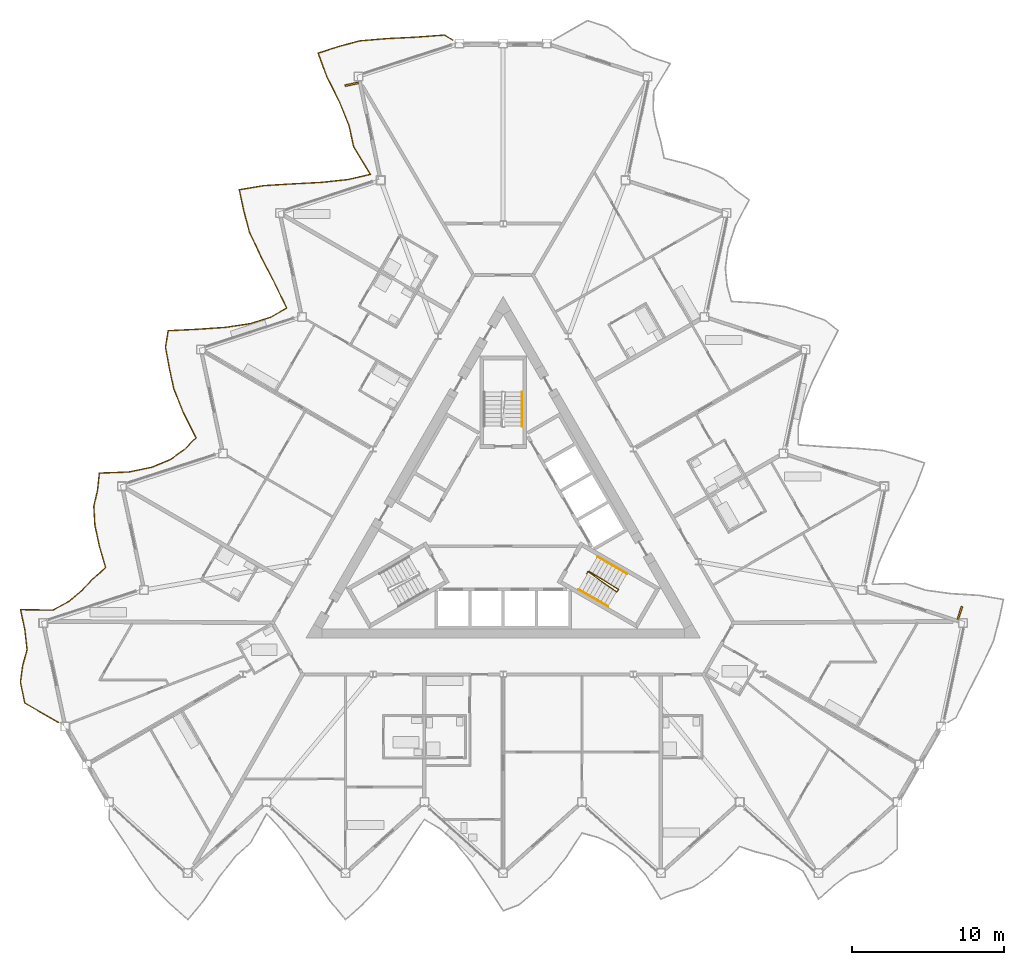
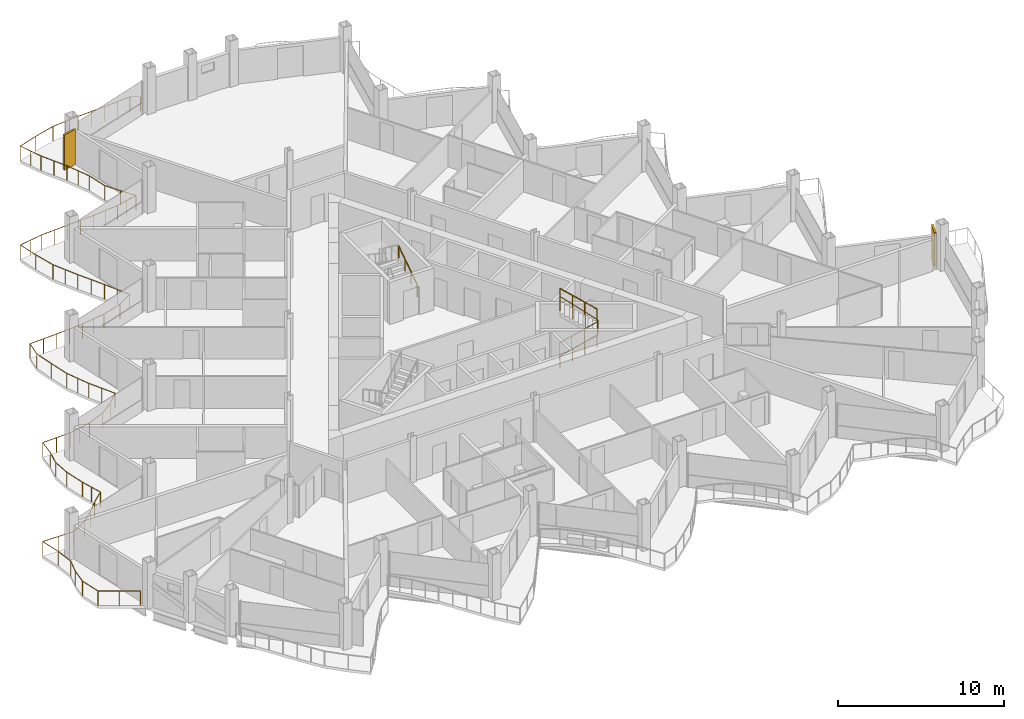
# One storey, part 23 of 26: 5 railings, 2 shading devices.
"""IFC4 building model written with IfcOpenShell, lengths in metres."""

from ifc_helpers import new_model, si_unit, direction, frame, origin, origin_2d, place, context, subcontext, project, spatial, rectangle, circle, extrude, material, layer, layer_set, type_object, element, save


model = new_model("IFC4")

# Units and contexts
model_context = context("Model", 3, precision=1e-05, world=origin(), true_north=direction((0.0, 1.0)))
body_context = subcontext(model_context, "Body", "Model", "MODEL_VIEW")
ifc_project = project(units=[si_unit("LENGTHUNIT", "METRE"), si_unit("AREAUNIT", "SQUARE_METRE"), si_unit("VOLUMEUNIT", "CUBIC_METRE"), si_unit("PLANEANGLEUNIT", "RADIAN"), si_unit("MASSUNIT", "GRAM", prefix="KILO")], contexts=[model_context])

# Site, building, storey
site_placement = place(None, origin())
site = spatial("IfcSite", under=ifc_project, at=site_placement, CompositionType="ELEMENT")
building_placement = place(site_placement, origin())
building = spatial("IfcBuilding", under=site, at=building_placement, Name="Cormorant Prow Tower", CompositionType="ELEMENT")
storey_placement = place(building_placement, frame((0.0, 0.0, 339.199951171875)))
storey = spatial("IfcBuildingStorey", under=building, at=storey_placement, Name="L76", CompositionType="ELEMENT", Elevation=339.199951171875)

# Railings
ifc_material_1 = material(Name="Aluminium 6063-T6", Category="aluminium")
railing_type_1 = type_object("IfcRailingType", Name="Balcony guard 1100", PredefinedType="GUARDRAIL", material=ifc_material_1)
railing_1_placement = place(storey_placement, frame((-3.326904296875, 31.9287109375, 0.0)))
element("IfcRailing", 1, at=railing_1_placement, inside=storey, type_object=railing_type_1, Name="Balcony guard WNW", PredefinedType="GUARDRAIL", context=body_context, shape_type="SweptSolid", body=[
    extrude(circle(Radius=0.02392578125, at=origin_2d()), frame((0.0, 0.0, 1.076171875), z_axis=(-0.865942655036, 0.500143297656, 0.0), x_axis=(-0.500143297656, -0.865942655036, 0.0)), (0.0, 0.0, 1.0), 0.635986328125),
    extrude(circle(Radius=0.02392578125, at=origin_2d()), frame((-0.55078125, 0.318115234375, 1.076171875), z_axis=(-0.997268835853, -0.07385708522, 0.0), x_axis=(0.07385708522, -0.997268835853, 0.0)), (0.0, 0.0, 1.0), 1.847900390625),
    extrude(circle(Radius=0.02392578125, at=origin_2d()), frame((-2.3935546875, 0.181640625, 1.076171875), z_axis=(-0.998812502105, -0.048719458521, 0.0), x_axis=(0.048719458521, -0.998812502105, 0.0)), (0.0, 0.0, 1.0), 1.919189453125),
    extrude(circle(Radius=0.02392578125, at=origin_2d()), frame((-4.310546875, 0.088134765625, 1.076171875), z_axis=(-0.996610037067, -0.082270492993, 0.0), x_axis=(0.082270492993, -0.996610037067, 0.0)), (0.0, 0.0, 1.0), 1.824951171875),
    extrude(circle(Radius=0.02392578125, at=origin_2d()), frame((-6.12939453125, -0.06201171875, 1.076171875), z_axis=(-0.965538644572, -0.260259727653, 0.0), x_axis=(0.260259727653, -0.965538644572, 0.0)), (0.0, 0.0, 1.0), 1.468017578125),
    extrude(circle(Radius=0.02392578125, at=origin_2d()), frame((-7.546875, -0.444091796875, 1.076171875), z_axis=(-0.951081516476, -0.308940041138, 0.0), x_axis=(0.308940041138, -0.951081516476, 0.0)), (0.0, 0.0, 1.0), 1.398681640625),
    extrude(circle(Radius=0.02392578125, at=origin_2d()), frame((-8.877197265625, -0.876220703125, 1.076171875), z_axis=(0.345517305781, -0.938412378119, 0.0), x_axis=(0.938412378119, 0.345517305781, 0.0)), (0.0, 0.0, 1.0), 1.62451171875),
    extrude(circle(Radius=0.02392578125, at=origin_2d()), frame((-8.31591796875, -2.400634765625, 1.076171875), z_axis=(0.44638412653, -0.89484144494, 0.0), x_axis=(0.89484144494, 0.44638412653, 0.0)), (0.0, 0.0, 1.0), 1.88427734375),
    extrude(circle(Radius=0.02392578125, at=origin_2d()), frame((-7.474853515625, -4.086669921875, 1.076171875), z_axis=(0.377196199988, -0.92613337415, 0.0), x_axis=(0.92613337415, 0.377196199988, 0.0)), (0.0, 0.0, 1.0), 1.694580078125),
    extrude(circle(Radius=0.02392578125, at=origin_2d()), frame((-6.835693359375, -5.656005859375, 1.076171875), z_axis=(0.207883806398, -0.978153527335, 0.0), x_axis=(0.978153527335, 0.207883806398, 0.0)), (0.0, 0.0, 1.0), 1.398681640625),
    extrude(circle(Radius=0.02392578125, at=origin_2d()), frame((-6.544921875, -7.024169921875, 1.076171875), z_axis=(0.517077573269, -0.855938539395, 0.0), x_axis=(0.855938539395, 0.517077573269, 0.0)), (0.0, 0.0, 1.0), 2.153564453125),
    extrude(circle(Radius=0.02392578125, at=origin_2d()), frame((-5.431396484375, -8.867431640625, 1.076171875), z_axis=(-0.974579651079, -0.224041299099, 0.0), x_axis=(0.224041299099, -0.974579651079, 0.0)), (0.0, 0.0, 1.0), 1.525634765625),
    extrude(circle(Radius=0.02392578125, at=origin_2d()), frame((-6.918212890625, -9.209228515625, 1.076171875), z_axis=(-0.994541693172, -0.104339927843, 0.0), x_axis=(0.104339927843, -0.994541693172, 0.0)), (0.0, 0.0, 1.0), 1.76904296875),
    extrude(circle(Radius=0.02392578125, at=origin_2d()), frame((-8.677490234375, -9.393798828125, 1.076171875), z_axis=(-0.998623125906, -0.052458101425, 0.0), x_axis=(0.052458101425, -0.998623125906, 0.0)), (0.0, 0.0, 1.0), 1.908203125),
    extrude(circle(Radius=0.02392578125, at=origin_2d()), frame((-10.5830078125, -9.493896484375, 1.076171875), z_axis=(-0.99818669029, -0.060194113732, 0.0), x_axis=(0.060194113732, -0.99818669029, 0.0)), (0.0, 0.0, 1.0), 1.885986328125),
    extrude(circle(Radius=0.02392578125, at=origin_2d()), frame((-12.465576171875, -9.607421875, 1.076171875), z_axis=(-0.9860889791, -0.166218306142, 0.0), x_axis=(0.166218306142, -0.9860889791, 0.0)), (0.0, 0.0, 1.0), 1.6318359375),
    extrude(circle(Radius=0.02392578125, at=origin_2d()), frame((-14.07470703125, -9.878662109375, 1.076171875), z_axis=(0.207883806398, -0.978153527335, 0.0), x_axis=(0.978153527335, 0.207883806398, 0.0)), (0.0, 0.0, 1.0), 1.398681640625),
    extrude(circle(Radius=0.02392578125, at=origin_2d()), frame((-13.783935546875, -11.246826171875, 1.076171875), z_axis=(0.253868850265, -0.967238650419, 0.0), x_axis=(0.967238650419, 0.253868850265, 0.0)), (0.0, 0.0, 1.0), 1.462646484375),
    extrude(circle(Radius=0.02392578125, at=origin_2d()), frame((-13.41259765625, -12.66162109375, 1.076171875), z_axis=(0.426080932678, -0.904685049511, 0.0), x_axis=(0.904685049511, 0.426080932678, 0.0)), (0.0, 0.0, 1.0), 1.822021484375),
    extrude(circle(Radius=0.02392578125, at=origin_2d()), frame((-12.63623046875, -14.31005859375, 1.076171875), z_axis=(0.457109403183, -0.889410475271, 0.0), x_axis=(0.889410475271, 0.457109403183, 0.0)), (0.0, 0.0, 1.0), 1.9189453125),
    extrude(circle(Radius=0.02392578125, at=origin_2d()), frame((-11.759033203125, -16.016845703125, 1.076171875), z_axis=(0.435512648253, -0.900182611036, 0.0), x_axis=(0.900182611036, 0.435512648253, 0.0)), (0.0, 0.0, 1.0), 1.8505859375),
    extrude(circle(Radius=0.02392578125, at=origin_2d()), frame((-10.953125, -17.6826171875, 1.076171875), z_axis=(-0.865676959893, -0.500603037456, 0.0), x_axis=(0.500603037456, -0.865676959893, 0.0)), (0.0, 0.0, 1.0), 1.19970703125),
    extrude(circle(Radius=0.02392578125, at=origin_2d()), frame((-11.99169921875, -18.283203125, 1.076171875), z_axis=(-0.95421811232, -0.299111674998, 0.0), x_axis=(0.299111674998, -0.95421811232, 0.0)), (0.0, 0.0, 1.0), 1.412109375),
    extrude(circle(Radius=0.02392578125, at=origin_2d()), frame((-13.339111328125, -18.70556640625, 1.076171875), z_axis=(-0.988992051677, -0.147968651138, 0.0), x_axis=(0.147968651138, -0.988992051677, 0.0)), (0.0, 0.0, 1.0), 1.669677734375),
    extrude(circle(Radius=0.02392578125, at=origin_2d()), frame((-14.990478515625, -18.95263671875, 1.076171875), z_axis=(-0.997715688101, -0.067552984524, 0.0), x_axis=(0.067552984524, -0.997715688101, 0.0)), (0.0, 0.0, 1.0), 1.86474609375),
    extrude(circle(Radius=0.02392578125, at=origin_2d()), frame((-16.85107421875, -19.07861328125, 1.076171875), z_axis=(-0.998765328526, -0.049677142982, 0.0), x_axis=(0.049677142982, -0.998765328526, 0.0)), (0.0, 0.0, 1.0), 1.916748046875),
    extrude(circle(Radius=0.02392578125, at=origin_2d()), frame((-18.765380859375, -19.173828125, 1.076171875), z_axis=(-0.157032403041, -0.987593450968, 0.0), x_axis=(0.987593450968, -0.157032403041, 0.0)), (0.0, 0.0, 1.0), 1.11328125),
    extrude(circle(Radius=0.02392578125, at=origin_2d()), frame((-18.940185546875, -20.273193359375, 1.076171875), z_axis=(0.182498486945, -0.983206134167, 0.0), x_axis=(0.983206134167, 0.182498486945, 0.0)), (0.0, 0.0, 1.0), 1.3671875),
    extrude(circle(Radius=0.02392578125, at=origin_2d()), frame((-18.690673828125, -21.617431640625, 1.076171875), z_axis=(0.207883806398, -0.978153527335, 0.0), x_axis=(0.978153527335, 0.207883806398, 0.0)), (0.0, 0.0, 1.0), 1.398681640625),
    extrude(circle(Radius=0.02392578125, at=origin_2d()), frame((-18.39990234375, -22.985595703125, 1.076171875), z_axis=(0.370412572747, -0.928867334957, 0.0), x_axis=(0.928867334957, 0.370412572747, 0.0)), (0.0, 0.0, 1.0), 1.6787109375),
    extrude(circle(Radius=0.02392578125, at=origin_2d()), frame((-17.778076171875, -24.544921875, 1.076171875), z_axis=(0.450197830655, -0.892928839983, 0.0), x_axis=(0.892928839983, 0.450197830655, 0.0)), (0.0, 0.0, 1.0), 1.896484375),
    extrude(circle(Radius=0.02392578125, at=origin_2d()), frame((-16.92431640625, -26.23828125, 1.076171875), z_axis=(-0.708579089702, -0.705631400688, 0.0), x_axis=(0.705631400688, -0.708579089702, 0.0)), (0.0, 0.0, 1.0), 1.07666015625),
    extrude(circle(Radius=0.02392578125, at=origin_2d()), frame((-17.687255859375, -26.998046875, 1.076171875), z_axis=(-0.811615569406, -0.584191892702, 0.0), x_axis=(0.584191892702, -0.811615569406, 0.0)), (0.0, 0.0, 1.0), 1.14013671875),
    extrude(circle(Radius=0.02392578125, at=origin_2d()), frame((-18.612548828125, -27.6640625, 1.076171875), z_axis=(-0.922877983616, -0.38509249195, 0.0), x_axis=(0.38509249195, -0.922877983616, 0.0)), (0.0, 0.0, 1.0), 1.307861328125),
    extrude(circle(Radius=0.02392578125, at=origin_2d()), frame((-19.819580078125, -28.167724609375, 1.076171875), z_axis=(-0.978699177219, -0.205299587215, 0.0), x_axis=(0.205299587215, -0.978699177219, 0.0)), (0.0, 0.0, 1.0), 1.557861328125),
    extrude(circle(Radius=0.02392578125, at=origin_2d()), frame((-21.34423828125, -28.487548828125, 1.076171875), z_axis=(-0.999345904658, -0.036163003787, 0.0), x_axis=(0.036163003787, -0.999345904658, 0.0)), (0.0, 0.0, 1.0), 1.957763671875),
    extrude(circle(Radius=0.02392578125, at=origin_2d()), frame((-23.30078125, -28.558349609375, 1.076171875), z_axis=(-0.105600912396, -0.994408591727, 0.0), x_axis=(0.994408591727, -0.105600912396, 0.0)), (0.0, 0.0, 1.0), 1.137451171875),
    extrude(circle(Radius=0.02392578125, at=origin_2d()), frame((-23.4208984375, -29.689453125, 1.076171875), z_axis=(-0.227009348035, -0.973892579243, 0.0), x_axis=(0.973892579243, -0.227009348035, 0.0)), (0.0, 0.0, 1.0), 1.086181640625),
    extrude(circle(Radius=0.02392578125, at=origin_2d()), frame((-23.66748046875, -30.747314453125, 1.076171875), z_axis=(0.056383988236, -0.998409157545, 0.0), x_axis=(0.998409157545, 0.056383988236, 0.0)), (0.0, 0.0, 1.0), 1.24267578125),
    extrude(circle(Radius=0.02392578125, at=origin_2d()), frame((-23.597412109375, -31.988037109375, 1.076171875), z_axis=(0.207883806398, -0.978153527335, 0.0), x_axis=(0.978153527335, 0.207883806398, 0.0)), (0.0, 0.0, 1.0), 1.398681640625),
    extrude(circle(Radius=0.02392578125, at=origin_2d()), frame((-23.306640625, -33.356201171875, 1.076171875), z_axis=(0.27969436855, -0.960089089721, 0.0), x_axis=(0.960089089721, 0.27969436855, 0.0)), (0.0, 0.0, 1.0), 1.503173828125),
    extrude(circle(Radius=0.02392578125, at=origin_2d()), frame((-22.88623046875, -34.79931640625, 1.076171875), z_axis=(-0.750726758639, -0.660612847184, 0.0), x_axis=(0.660612847184, -0.750726758639, 0.0)), (0.0, 0.0, 1.0), 1.09716796875),
    extrude(circle(Radius=0.02392578125, at=origin_2d()), frame((-23.7099609375, -35.524169921875, 1.076171875), z_axis=(-0.693878197943, -0.720092387419, 0.0), x_axis=(0.720092387419, -0.693878197943, 0.0)), (0.0, 0.0, 1.0), 1.071044921875),
    extrude(circle(Radius=0.02392578125, at=origin_2d()), frame((-24.453125, -36.29541015625, 1.076171875), z_axis=(-0.758599182566, -0.651557580118, 0.0), x_axis=(0.651557580118, -0.758599182566, 0.0)), (0.0, 0.0, 1.0), 1.1015625),
    extrude(circle(Radius=0.02392578125, at=origin_2d()), frame((-25.288818359375, -37.01318359375, 1.076171875), z_axis=(-0.879602455008, -0.475709492383, 0.0), x_axis=(0.475709492383, -0.879602455008, 0.0)), (0.0, 0.0, 1.0), 1.220458984375),
    extrude(circle(Radius=0.02392578125, at=origin_2d()), frame((-26.3623046875, -37.59375, 1.076171875), z_axis=(-0.999880973637, 0.015428498279, 0.0), x_axis=(-0.015428498279, -0.999880973637, 0.0)), (0.0, 0.0, 1.0), 2.13623046875),
    extrude(circle(Radius=0.02392578125, at=origin_2d()), frame((-28.498291015625, -37.560791015625, 1.076171875), z_axis=(0.207883806398, -0.978153527335, 0.0), x_axis=(0.978153527335, 0.207883806398, 0.0)), (0.0, 0.0, 1.0), 1.398681640625),
    extrude(circle(Radius=0.02392578125, at=origin_2d()), frame((-28.20751953125, -38.928955078125, 1.076171875), z_axis=(0.108726591286, -0.994071691754, 0.0), x_axis=(0.994071691754, 0.108726591286, 0.0)), (0.0, 0.0, 1.0), 1.288818359375),
    extrude(circle(Radius=0.02392578125, at=origin_2d()), frame((-28.0673828125, -40.210205078125, 1.076171875), z_axis=(-0.267925383794, -0.963439665324, 0.0), x_axis=(0.963439665324, -0.267925383794, 0.0)), (0.0, 0.0, 1.0), 1.073486328125),
    extrude(circle(Radius=0.02392578125, at=origin_2d()), frame((-28.35498046875, -41.244384765625, 1.076171875), z_axis=(-0.132690027156, -0.991157584188, 0.0), x_axis=(0.991157584188, -0.132690027156, 0.0)), (0.0, 0.0, 1.0), 1.124267578125),
    extrude(circle(Radius=0.02392578125, at=origin_2d()), frame((-28.504150390625, -42.358642578125, 1.076171875), z_axis=(0.207883806398, -0.978153527335, 0.0), x_axis=(0.978153527335, 0.207883806398, 0.0)), (0.0, 0.0, 1.0), 1.398681640625),
    extrude(circle(Radius=0.02392578125, at=origin_2d()), frame((-28.21337890625, -43.726806640625, 1.076171875), z_axis=(0.866013163002, -0.500021201058, 0.0), x_axis=(0.500021201058, 0.866013163002, 0.0)), (0.0, 0.0, 1.0), 2.5703125),
    extrude(circle(Radius=0.02099609375, at=origin_2d()), origin(), (0.0, 0.0, 1.0), 1.052001953125),
    extrude(circle(Radius=0.02099609375, at=origin_2d()), frame((-0.55078125, 0.318115234375, 0.0)), (0.0, 0.0, 1.0), 1.052001953125),
    extrude(circle(Radius=0.02099609375, at=origin_2d()), frame((-1.47216796875, 0.25, 0.0)), (0.0, 0.0, 1.0), 1.052001953125),
    extrude(circle(Radius=0.02099609375, at=origin_2d()), frame((-2.3935546875, 0.181640625, 0.0)), (0.0, 0.0, 1.0), 1.052001953125),
    extrude(circle(Radius=0.02099609375, at=origin_2d()), frame((-3.35205078125, 0.134765625, 0.0)), (0.0, 0.0, 1.0), 1.052001953125),
    extrude(circle(Radius=0.02099609375, at=origin_2d()), frame((-4.310546875, 0.088134765625, 0.0)), (0.0, 0.0, 1.0), 1.052001953125),
    extrude(circle(Radius=0.02099609375, at=origin_2d()), frame((-5.219970703125, 0.01318359375, 0.0)), (0.0, 0.0, 1.0), 1.052001953125),
    extrude(circle(Radius=0.02099609375, at=origin_2d()), frame((-6.12939453125, -0.06201171875, 0.0)), (0.0, 0.0, 1.0), 1.052001953125),
    extrude(circle(Radius=0.02099609375, at=origin_2d()), frame((-7.546875, -0.444091796875, 0.0)), (0.0, 0.0, 1.0), 1.052001953125),
    extrude(circle(Radius=0.02099609375, at=origin_2d()), frame((-8.877197265625, -0.876220703125, 0.0)), (0.0, 0.0, 1.0), 1.052001953125),
    extrude(circle(Radius=0.02099609375, at=origin_2d()), frame((-8.5966796875, -1.638427734375, 0.0)), (0.0, 0.0, 1.0), 1.052001953125),
    extrude(circle(Radius=0.02099609375, at=origin_2d()), frame((-8.31591796875, -2.400634765625, 0.0)), (0.0, 0.0, 1.0), 1.052001953125),
    extrude(circle(Radius=0.02099609375, at=origin_2d()), frame((-7.8955078125, -3.24365234375, 0.0)), (0.0, 0.0, 1.0), 1.052001953125),
    extrude(circle(Radius=0.02099609375, at=origin_2d()), frame((-7.474853515625, -4.086669921875, 0.0)), (0.0, 0.0, 1.0), 1.052001953125),
    extrude(circle(Radius=0.02099609375, at=origin_2d()), frame((-7.1552734375, -4.871337890625, 0.0)), (0.0, 0.0, 1.0), 1.052001953125),
    extrude(circle(Radius=0.02099609375, at=origin_2d()), frame((-6.835693359375, -5.656005859375, 0.0)), (0.0, 0.0, 1.0), 1.052001953125),
    extrude(circle(Radius=0.02099609375, at=origin_2d()), frame((-6.544921875, -7.024169921875, 0.0)), (0.0, 0.0, 1.0), 1.052001953125),
    extrude(circle(Radius=0.02099609375, at=origin_2d()), frame((-5.98828125, -7.94580078125, 0.0)), (0.0, 0.0, 1.0), 1.052001953125),
    extrude(circle(Radius=0.02099609375, at=origin_2d()), frame((-5.431396484375, -8.867431640625, 0.0)), (0.0, 0.0, 1.0), 1.052001953125),
    extrude(circle(Radius=0.02099609375, at=origin_2d()), frame((-6.1748046875, -9.038330078125, 0.0)), (0.0, 0.0, 1.0), 1.052001953125),
    extrude(circle(Radius=0.02099609375, at=origin_2d()), frame((-6.918212890625, -9.209228515625, 0.0)), (0.0, 0.0, 1.0), 1.052001953125),
    extrude(circle(Radius=0.02099609375, at=origin_2d()), frame((-7.7978515625, -9.301513671875, 0.0)), (0.0, 0.0, 1.0), 1.052001953125),
    extrude(circle(Radius=0.02099609375, at=origin_2d()), frame((-8.677490234375, -9.393798828125, 0.0)), (0.0, 0.0, 1.0), 1.052001953125),
    extrude(circle(Radius=0.02099609375, at=origin_2d()), frame((-9.63037109375, -9.44384765625, 0.0)), (0.0, 0.0, 1.0), 1.052001953125),
    extrude(circle(Radius=0.02099609375, at=origin_2d()), frame((-10.5830078125, -9.493896484375, 0.0)), (0.0, 0.0, 1.0), 1.052001953125),
    extrude(circle(Radius=0.02099609375, at=origin_2d()), frame((-11.5244140625, -9.55078125, 0.0)), (0.0, 0.0, 1.0), 1.052001953125),
    extrude(circle(Radius=0.02099609375, at=origin_2d()), frame((-12.465576171875, -9.607421875, 0.0)), (0.0, 0.0, 1.0), 1.052001953125),
    extrude(circle(Radius=0.02099609375, at=origin_2d()), frame((-13.27001953125, -9.7431640625, 0.0)), (0.0, 0.0, 1.0), 1.052001953125),
    extrude(circle(Radius=0.02099609375, at=origin_2d()), frame((-14.07470703125, -9.878662109375, 0.0)), (0.0, 0.0, 1.0), 1.052001953125),
    extrude(circle(Radius=0.02099609375, at=origin_2d()), frame((-13.783935546875, -11.246826171875, 0.0)), (0.0, 0.0, 1.0), 1.052001953125),
    extrude(circle(Radius=0.02099609375, at=origin_2d()), frame((-13.41259765625, -12.66162109375, 0.0)), (0.0, 0.0, 1.0), 1.052001953125),
    extrude(circle(Radius=0.02099609375, at=origin_2d()), frame((-13.0244140625, -13.48583984375, 0.0)), (0.0, 0.0, 1.0), 1.052001953125),
    extrude(circle(Radius=0.02099609375, at=origin_2d()), frame((-12.63623046875, -14.31005859375, 0.0)), (0.0, 0.0, 1.0), 1.052001953125),
    extrude(circle(Radius=0.02099609375, at=origin_2d()), frame((-12.19775390625, -15.16357421875, 0.0)), (0.0, 0.0, 1.0), 1.052001953125),
    extrude(circle(Radius=0.02099609375, at=origin_2d()), frame((-11.759033203125, -16.016845703125, 0.0)), (0.0, 0.0, 1.0), 1.052001953125),
    extrude(circle(Radius=0.02099609375, at=origin_2d()), frame((-11.35595703125, -16.849609375, 0.0)), (0.0, 0.0, 1.0), 1.052001953125),
    extrude(circle(Radius=0.02099609375, at=origin_2d()), frame((-10.953125, -17.6826171875, 0.0)), (0.0, 0.0, 1.0), 1.052001953125),
    extrude(circle(Radius=0.02099609375, at=origin_2d()), frame((-11.99169921875, -18.283203125, 0.0)), (0.0, 0.0, 1.0), 1.052001953125),
    extrude(circle(Radius=0.02099609375, at=origin_2d()), frame((-13.339111328125, -18.70556640625, 0.0)), (0.0, 0.0, 1.0), 1.052001953125),
    extrude(circle(Radius=0.02099609375, at=origin_2d()), frame((-14.164794921875, -18.8291015625, 0.0)), (0.0, 0.0, 1.0), 1.052001953125),
    extrude(circle(Radius=0.02099609375, at=origin_2d()), frame((-14.990478515625, -18.95263671875, 0.0)), (0.0, 0.0, 1.0), 1.052001953125),
    extrude(circle(Radius=0.02099609375, at=origin_2d()), frame((-15.9208984375, -19.015625, 0.0)), (0.0, 0.0, 1.0), 1.052001953125),
    extrude(circle(Radius=0.02099609375, at=origin_2d()), frame((-16.85107421875, -19.07861328125, 0.0)), (0.0, 0.0, 1.0), 1.052001953125),
    extrude(circle(Radius=0.02099609375, at=origin_2d()), frame((-17.80810546875, -19.126220703125, 0.0)), (0.0, 0.0, 1.0), 1.052001953125),
    extrude(circle(Radius=0.02099609375, at=origin_2d()), frame((-18.765380859375, -19.173828125, 0.0)), (0.0, 0.0, 1.0), 1.052001953125),
    extrude(circle(Radius=0.02099609375, at=origin_2d()), frame((-18.940185546875, -20.273193359375, 0.0)), (0.0, 0.0, 1.0), 1.052001953125),
    extrude(circle(Radius=0.02099609375, at=origin_2d()), frame((-18.690673828125, -21.617431640625, 0.0)), (0.0, 0.0, 1.0), 1.052001953125),
    extrude(circle(Radius=0.02099609375, at=origin_2d()), frame((-18.39990234375, -22.985595703125, 0.0)), (0.0, 0.0, 1.0), 1.052001953125),
    extrude(circle(Radius=0.02099609375, at=origin_2d()), frame((-18.0888671875, -23.76513671875, 0.0)), (0.0, 0.0, 1.0), 1.052001953125),
    extrude(circle(Radius=0.02099609375, at=origin_2d()), frame((-17.778076171875, -24.544921875, 0.0)), (0.0, 0.0, 1.0), 1.052001953125),
    extrude(circle(Radius=0.02099609375, at=origin_2d()), frame((-17.35107421875, -25.3916015625, 0.0)), (0.0, 0.0, 1.0), 1.052001953125),
    extrude(circle(Radius=0.02099609375, at=origin_2d()), frame((-16.92431640625, -26.23828125, 0.0)), (0.0, 0.0, 1.0), 1.052001953125),
    extrude(circle(Radius=0.02099609375, at=origin_2d()), frame((-17.687255859375, -26.998046875, 0.0)), (0.0, 0.0, 1.0), 1.052001953125),
    extrude(circle(Radius=0.02099609375, at=origin_2d()), frame((-18.612548828125, -27.6640625, 0.0)), (0.0, 0.0, 1.0), 1.052001953125),
    extrude(circle(Radius=0.02099609375, at=origin_2d()), frame((-19.819580078125, -28.167724609375, 0.0)), (0.0, 0.0, 1.0), 1.052001953125),
    extrude(circle(Radius=0.02099609375, at=origin_2d()), frame((-20.58203125, -28.32763671875, 0.0)), (0.0, 0.0, 1.0), 1.052001953125),
    extrude(circle(Radius=0.02099609375, at=origin_2d()), frame((-21.34423828125, -28.487548828125, 0.0)), (0.0, 0.0, 1.0), 1.052001953125),
    extrude(circle(Radius=0.02099609375, at=origin_2d()), frame((-22.322509765625, -28.52294921875, 0.0)), (0.0, 0.0, 1.0), 1.052001953125),
    extrude(circle(Radius=0.02099609375, at=origin_2d()), frame((-23.30078125, -28.558349609375, 0.0)), (0.0, 0.0, 1.0), 1.052001953125),
    extrude(circle(Radius=0.02099609375, at=origin_2d()), frame((-23.4208984375, -29.689453125, 0.0)), (0.0, 0.0, 1.0), 1.052001953125),
    extrude(circle(Radius=0.02099609375, at=origin_2d()), frame((-23.66748046875, -30.747314453125, 0.0)), (0.0, 0.0, 1.0), 1.052001953125),
    extrude(circle(Radius=0.02099609375, at=origin_2d()), frame((-23.597412109375, -31.988037109375, 0.0)), (0.0, 0.0, 1.0), 1.052001953125),
    extrude(circle(Radius=0.02099609375, at=origin_2d()), frame((-23.306640625, -33.356201171875, 0.0)), (0.0, 0.0, 1.0), 1.052001953125),
    extrude(circle(Radius=0.02099609375, at=origin_2d()), frame((-23.096435546875, -34.07763671875, 0.0)), (0.0, 0.0, 1.0), 1.052001953125),
    extrude(circle(Radius=0.02099609375, at=origin_2d()), frame((-22.88623046875, -34.79931640625, 0.0)), (0.0, 0.0, 1.0), 1.052001953125),
    extrude(circle(Radius=0.02099609375, at=origin_2d()), frame((-23.7099609375, -35.524169921875, 0.0)), (0.0, 0.0, 1.0), 1.052001953125),
    extrude(circle(Radius=0.02099609375, at=origin_2d()), frame((-24.453125, -36.29541015625, 0.0)), (0.0, 0.0, 1.0), 1.052001953125),
    extrude(circle(Radius=0.02099609375, at=origin_2d()), frame((-25.288818359375, -37.01318359375, 0.0)), (0.0, 0.0, 1.0), 1.052001953125),
    extrude(circle(Radius=0.02099609375, at=origin_2d()), frame((-26.3623046875, -37.59375, 0.0)), (0.0, 0.0, 1.0), 1.052001953125),
    extrude(circle(Radius=0.02099609375, at=origin_2d()), frame((-27.43017578125, -37.5771484375, 0.0)), (0.0, 0.0, 1.0), 1.052001953125),
    extrude(circle(Radius=0.02099609375, at=origin_2d()), frame((-28.498291015625, -37.560791015625, 0.0)), (0.0, 0.0, 1.0), 1.052001953125),
    extrude(circle(Radius=0.02099609375, at=origin_2d()), frame((-28.20751953125, -38.928955078125, 0.0)), (0.0, 0.0, 1.0), 1.052001953125),
    extrude(circle(Radius=0.02099609375, at=origin_2d()), frame((-28.0673828125, -40.210205078125, 0.0)), (0.0, 0.0, 1.0), 1.052001953125),
    extrude(circle(Radius=0.02099609375, at=origin_2d()), frame((-28.35498046875, -41.244384765625, 0.0)), (0.0, 0.0, 1.0), 1.052001953125),
    extrude(circle(Radius=0.02099609375, at=origin_2d()), frame((-28.504150390625, -42.358642578125, 0.0)), (0.0, 0.0, 1.0), 1.052001953125),
    extrude(circle(Radius=0.02099609375, at=origin_2d()), frame((-28.21337890625, -43.726806640625, 0.0)), (0.0, 0.0, 1.0), 1.052001953125),
    extrude(circle(Radius=0.02099609375, at=origin_2d()), frame((-27.1005859375, -44.369384765625, 0.0)), (0.0, 0.0, 1.0), 1.052001953125),
    extrude(circle(Radius=0.02099609375, at=origin_2d()), frame((-25.987548828125, -45.011962890625, 0.0)), (0.0, 0.0, 1.0), 1.052001953125),
])
ifc_material_2 = material(Name="Stainless steel", Category="steel")
railing_type_2 = type_object("IfcRailingType", Name="Stair guard 1100", PredefinedType="GUARDRAIL", material=ifc_material_2)
railing_2_placement = place(storey_placement, frame((5.510009765625, -3.267822265625, 0.0)))
element("IfcRailing", 2, at=railing_2_placement, inside=storey, type_object=railing_type_2, Name="L76 ST2 stair guard 1", PredefinedType="GUARDRAIL", context=body_context, shape_type="SweptSolid", body=[
    extrude(circle(Radius=0.02392578125, at=origin_2d()), frame((0.0, 0.0, 1.076171875), z_axis=(0.501036270542, 0.865426285481, 0.0), x_axis=(-0.865426285481, 0.501036270542, 0.0)), (0.0, 0.0, 1.0), 0.150146484375),
    extrude(circle(Radius=0.02392578125, at=origin_2d()), frame((0.0751953125, 0.1298828125, 1.076171875), z_axis=(0.658670593711, -0.461060875852, 0.594622500196), x_axis=(0.573455215813, 0.819236910458, 0.0)), (0.0, 0.0, 1.0), 2.85888671875),
    extrude(circle(Radius=0.02392578125, at=origin_2d()), frame((1.958251953125, -1.188232421875, 2.77587890625), z_axis=(0.695164929852, 0.718850276695, 0.0), x_axis=(-0.718850276695, 0.695164929852, 0.0)), (0.0, 0.0, 1.0), 0.2060546875),
    extrude(circle(Radius=0.02392578125, at=origin_2d()), frame((2.1015625, -1.0400390625, 2.77587890625), z_axis=(-0.686480346808, 0.416544052851, 0.596016598326), x_axis=(-0.518752825935, -0.854924268918, 0.0)), (0.0, 0.0, 1.0), 2.8525390625),
    extrude(circle(Radius=0.02099609375, at=origin_2d()), origin(), (0.0, 0.0, 1.0), 1.052001953125),
    extrude(circle(Radius=0.02099609375, at=origin_2d()), frame((0.0751953125, 0.1298828125, 0.0)), (0.0, 0.0, 1.0), 1.052001953125),
    extrude(circle(Radius=0.02099609375, at=origin_2d()), frame((0.702880859375, -0.3095703125, 0.566650390625)), (0.0, 0.0, 1.0), 1.052001953125),
    extrude(circle(Radius=0.02099609375, at=origin_2d()), frame((1.33056640625, -0.748779296875, 1.13330078125)), (0.0, 0.0, 1.0), 1.052001953125),
    extrude(circle(Radius=0.02099609375, at=origin_2d()), frame((1.958251953125, -1.188232421875, 1.699951171875)), (0.0, 0.0, 1.0), 1.052001953125),
    extrude(circle(Radius=0.02099609375, at=origin_2d()), frame((2.1015625, -1.0400390625, 1.699951171875)), (0.0, 0.0, 1.0), 1.052001953125),
    extrude(circle(Radius=0.02099609375, at=origin_2d()), frame((1.44873046875, -0.64404296875, 2.2666015625)), (0.0, 0.0, 1.0), 1.052001953125),
    extrude(circle(Radius=0.02099609375, at=origin_2d()), frame((0.796142578125, -0.247802734375, 2.83349609375)), (0.0, 0.0, 1.0), 1.052001953125),
    extrude(circle(Radius=0.02099609375, at=origin_2d()), frame((0.143310546875, 0.148193359375, 3.400146484375)), (0.0, 0.0, 1.0), 1.052001953125),
])
ifc_material_3 = material(Name="Stainless steel", Category="steel")
railing_type_3 = type_object("IfcRailingType", Name="Stair handrail 900", PredefinedType="HANDRAIL", material=ifc_material_3)
railing_3_placement = place(storey_placement, frame((4.968994140625, -4.30517578125, 0.18896484375)))
element("IfcRailing", 3, at=railing_3_placement, inside=storey, type_object=railing_type_3, Name="L76 ST2 stair handrail 1", PredefinedType="HANDRAIL", context=body_context, shape_type="SweptSolid", body=[
    extrude(circle(Radius=0.02392578125, at=origin_2d()), frame((0.0, 0.0, 0.8759765625), z_axis=(0.71790592183, -0.414569209485, 0.559234707389), x_axis=(0.500077830873, 0.865980463445, 0.0)), (0.0, 0.0, 1.0), 2.701904296875),
    extrude(circle(Radius=0.02099609375, at=origin_2d()), origin(), (0.0, 0.0, 1.0), 0.851806640625),
    extrude(circle(Radius=0.02099609375, at=origin_2d()), frame((0.646484375, -0.373291015625, 0.503662109375)), (0.0, 0.0, 1.0), 0.851806640625),
    extrude(circle(Radius=0.02099609375, at=origin_2d()), frame((1.293212890625, -0.746826171875, 1.00732421875)), (0.0, 0.0, 1.0), 0.851806640625),
    extrude(circle(Radius=0.02099609375, at=origin_2d()), frame((1.939697265625, -1.1201171875, 1.510986328125)), (0.0, 0.0, 1.0), 0.851806640625),
])
railing_4_placement = place(storey_placement, frame((8.15283203125, -3.2705078125, 1.888916015625)))
element("IfcRailing", 4, at=railing_4_placement, inside=storey, type_object=railing_type_3, Name="L76 ST2 stair handrail 2", PredefinedType="HANDRAIL", context=body_context, shape_type="SweptSolid", body=[
    extrude(circle(Radius=0.02392578125, at=origin_2d()), frame((0.0, 0.0, 0.8759765625), z_axis=(-0.717940317343, 0.414446543626, 0.55928147047), x_axis=(-0.49994888933, -0.866054910533, 0.0)), (0.0, 0.0, 1.0), 2.7021484375),
    extrude(circle(Radius=0.02099609375, at=origin_2d()), origin(), (0.0, 0.0, 1.0), 0.851806640625),
    extrude(circle(Radius=0.02099609375, at=origin_2d()), frame((-0.646728515625, 0.373291015625, 0.503662109375)), (0.0, 0.0, 1.0), 0.851806640625),
    extrude(circle(Radius=0.02099609375, at=origin_2d()), frame((-1.293212890625, 0.74658203125, 1.007568359375)), (0.0, 0.0, 1.0), 0.851806640625),
    extrude(circle(Radius=0.02099609375, at=origin_2d()), frame((-1.93994140625, 1.119873046875, 1.51123046875)), (0.0, 0.0, 1.0), 0.851806640625),
])
railing_5_placement = place(storey_placement, frame((1.243896484375, 6.455810546875, 0.18896484375)))
element("IfcRailing", 5, at=railing_5_placement, inside=storey, type_object=railing_type_3, Name="L76 ST3 stair handrail 1", PredefinedType="HANDRAIL", context=body_context, shape_type="SweptSolid", body=[
    extrude(circle(Radius=0.02392578125, at=origin_2d()), frame((0.0, 0.0, 0.8759765625), z_axis=(0.0, 0.829021472004, 0.559216772778), x_axis=(-1.0, 0.0, 0.0)), (0.0, 0.0, 1.0), 2.701904296875),
    extrude(circle(Radius=0.02099609375, at=origin_2d()), origin(), (0.0, 0.0, 1.0), 0.851806640625),
    extrude(circle(Radius=0.02099609375, at=origin_2d()), frame((0.0, 0.74658203125, 0.503662109375)), (0.0, 0.0, 1.0), 0.851806640625),
    extrude(circle(Radius=0.02099609375, at=origin_2d()), frame((0.0, 1.493408203125, 1.00732421875)), (0.0, 0.0, 1.0), 0.851806640625),
    extrude(circle(Radius=0.02099609375, at=origin_2d()), frame((0.0, 2.239990234375, 1.510986328125)), (0.0, 0.0, 1.0), 0.851806640625),
])

# Shading devices
ifc_material_4 = material(Name="Terracotta", Category="masonry")
ifc_layer = layer(ifc_material_4, 0.1201171875)
ifc_layer_set = layer_set([ifc_layer], Name="Terracotta")
shading_device_type = type_object("IfcShadingDeviceType", Name="Terracotta baguette fin 120x900x2600", PredefinedType="USERDEFINED", material=ifc_layer_set)
for number, where, z_axis, x_axis, name in (
    (6, (30.10888671875, -5.851318359375, 0.0), (0.0, 0.0, 1.0), (-0.951056490963, 0.309017072341, 0.0), "Baguette fin ENE01"),
    (7, (-9.98681640625, 29.000732421875, 0.0), (0.0, 0.0, 1.0), (0.207911602505, -0.978147619505, 0.0), "Baguette fin WNW01"),
):
    element("IfcShadingDevice", number, at=place(storey_placement, frame(where, z_axis=z_axis, x_axis=x_axis)), inside=storey, type_object=shading_device_type, Name=name, ObjectType="BAGUETTE", PredefinedType="USERDEFINED", context=body_context, shape_type="SweptSolid", body=[
        extrude(rectangle(XDim=0.1201171875, YDim=0.89990234375, at=origin_2d()), origin(), (0.0, 0.0, 1.0), 2.60009765625),
    ])

save(model, "model.ifc")
